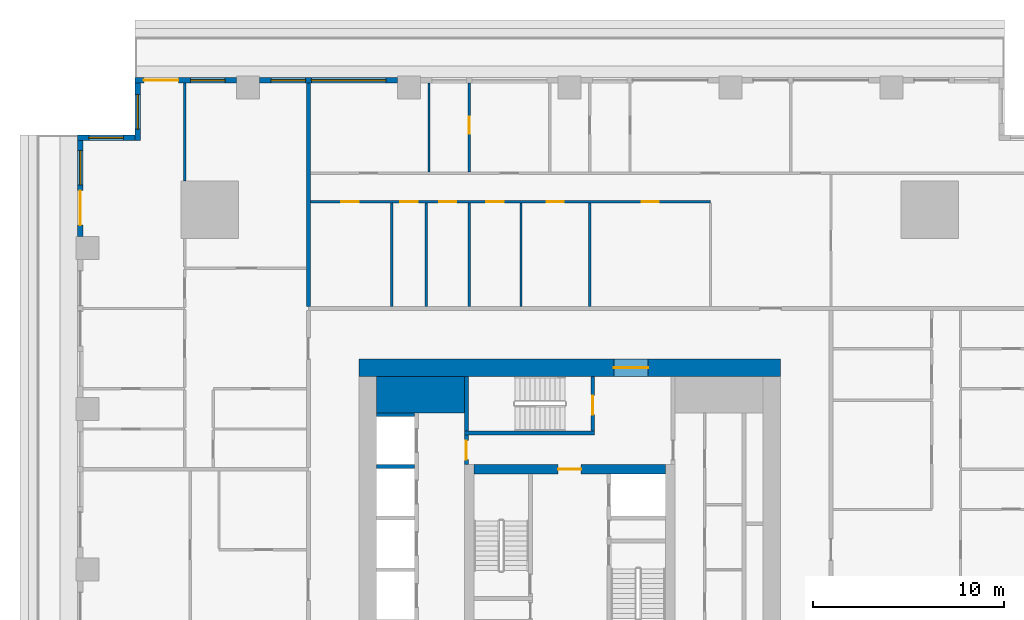
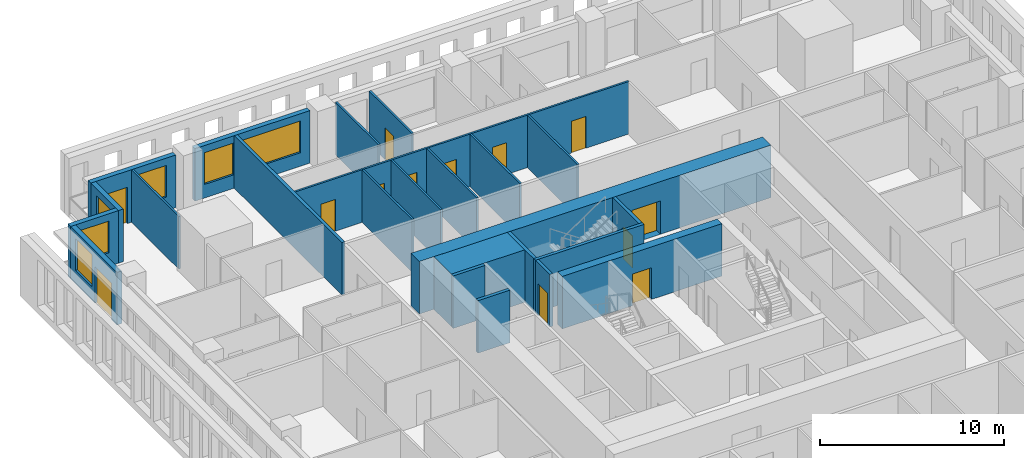
# One storey, part 7 of 14: 24 walls, 13 doors, 6 windows, 19 openings.
"""IFC4 building model written with IfcOpenShell, lengths in metres."""

from ifc_helpers import new_model, si_unit, direction, frame, frame_2d, origin, place, context, subcontext, project, spatial, rectangle, extrude, material, layer, layer_set, type_object, element, fill, save


model = new_model("IFC4")

# Units and contexts
model_context = context("Model", 3, precision=1e-05, world=origin(), true_north=direction((0.0, 1.0)))
body_context = subcontext(model_context, "Body", "Model", "MODEL_VIEW")
ifc_project = project(units=[si_unit("LENGTHUNIT", "METRE"), si_unit("AREAUNIT", "SQUARE_METRE"), si_unit("VOLUMEUNIT", "CUBIC_METRE"), si_unit("PLANEANGLEUNIT", "RADIAN"), si_unit("MASSUNIT", "GRAM", prefix="KILO")], contexts=[model_context])

# Site, building, storey
site_placement = place(None, origin())
site = spatial("IfcSite", under=ifc_project, at=site_placement, CompositionType="ELEMENT")
building_placement = place(site_placement, origin())
building = spatial("IfcBuilding", under=site, at=building_placement, Name="Khepri Terraces", CompositionType="ELEMENT")
storey_placement = place(building_placement, frame((0.0, 0.0, 66.0)))
storey = spatial("IfcBuildingStorey", under=building, at=storey_placement, Name="L15", CompositionType="ELEMENT", Elevation=66.0)

# Walls
ifc_material_1 = material(Name="Concrete C80/95", Category="concrete")
ifc_layer_1 = layer(ifc_material_1, 1.89990234375, Name="Concrete C80/95", Category="concrete")
ifc_layer_set_1 = layer_set([ifc_layer_1], Name="Concrete C80/95")
wall_type_1 = type_object("IfcWallType", Name="Core wall 1900 C80/95", PredefinedType="SHEAR", material=ifc_layer_set_1)
wall_1_placement = place(storey_placement, frame((-10.10009765625, 9.14990234375, 0.0), z_axis=(0.0, 0.0, 1.0), x_axis=(1.0, 0.0, 0.0)))
element("IfcWall", 1, at=wall_1_placement, inside=storey, type_object=wall_type_1, Name="Core wall PR03 L15", PredefinedType="SHEAR", context=body_context, shape_type="SweptSolid", body=[
    extrude(rectangle(XDim=4.60009765625, YDim=1.89990234375, at=frame_2d((2.300048828125, 0.0))), origin(), (0.0, 0.0, 1.0), 3.47998046875),
])
ifc_layer_2 = layer(ifc_material_1, 0.199951171875, Name="Concrete C80/95", Category="concrete")
ifc_layer_set_2 = layer_set([ifc_layer_2], Name="Concrete C80/95")
wall_type_2 = type_object("IfcWallType", Name="Core wall 200 C80/95", PredefinedType="SHEAR", material=ifc_layer_set_2)
wall_2_placement = place(storey_placement, frame((-5.5, 7.14990234375, 0.0), z_axis=(0.0, 0.0, 1.0), x_axis=(1.0, 0.0, 0.0)))
element("IfcWall", 2, at=wall_2_placement, inside=storey, type_object=wall_type_2, Name="Core wall ST05 L15", PredefinedType="SHEAR", context=body_context, shape_type="SweptSolid", body=[
    extrude(rectangle(XDim=6.800048828125, YDim=0.199951171875, at=frame_2d((3.39990234375, 0.0))), origin(), (0.0, 0.0, 1.0), 3.47998046875),
])
wall_3_placement = place(storey_placement, frame((-5.39990234375, 7.25, 0.0), z_axis=(0.0, 0.0, 1.0), x_axis=(0.0, 1.0, 0.0)))
element("IfcWall", 3, at=wall_3_placement, inside=storey, type_object=wall_type_2, Name="Core wall ST06 L15", PredefinedType="SHEAR", context=body_context, shape_type="SweptSolid", body=[
    extrude(rectangle(XDim=2.85009765625, YDim=0.199951171875, at=frame_2d((1.425048828125, 0.0))), origin(), (0.0, 0.0, 1.0), 3.47998046875),
])

# Wall, opening, door
wall_4_placement = place(storey_placement, frame((1.199951171875, 7.25, 0.0), z_axis=(0.0, 0.0, 1.0), x_axis=(0.0, 1.0, 0.0)))
wall_4 = element("IfcWall", 4, at=wall_4_placement, inside=storey, type_object=wall_type_2, Name="Core wall ST07 L15", PredefinedType="SHEAR", context=body_context, shape_type="SweptSolid", body=[
    extrude(rectangle(XDim=2.85009765625, YDim=0.199951171875, at=frame_2d((1.425048828125, 0.0))), origin(), (0.0, 0.0, 1.0), 3.47998046875),
])
opening_1_placement = place(wall_4_placement, frame((0.85009765625, 0.0, 0.0)))
opening_1 = element("IfcOpeningElement", 5, at=opening_1_placement, cuts=wall_4, Name="Opening L15-C15", PredefinedType="OPENING", context=body_context, shape_type="SweptSolid", body=[
    extrude(rectangle(XDim=1.0, YDim=2.10009765625, at=frame_2d((0.5, 1.050048828125))), frame((0.0, 0.10986328125, 0.0), z_axis=(0.0, -1.0, 0.0), x_axis=(1.0, 0.0, 0.0)), (0.0, 0.0, 1.0), 0.219970703125),
])
ifc_material_2 = material(Name="Painted steel", Category="steel")
door_type_1 = type_object("IfcDoorType", Name="DR-CORE-STAIR-1000", OperationType="NOTDEFINED", PredefinedType="DOOR", material=ifc_material_2)
door_1_placement = place(opening_1_placement, origin())
door_1 = element("IfcDoor", 6, at=door_1_placement, inside=storey, type_object=door_type_1, Name="Stair door L15-C15", OperationType="SINGLE_SWING_LEFT", OverallHeight=2.10009765625, OverallWidth=1.0, PredefinedType="DOOR", context=body_context, shape_type="SweptSolid", body=[
    extrude(rectangle(XDim=1.0, YDim=2.10009765625, at=frame_2d((0.5, 1.050048828125))), frame((0.0, 0.02490234375, 0.0), z_axis=(0.0, -1.0, 0.0), x_axis=(1.0, 0.0, 0.0)), (0.0, 0.0, 1.0), 0.050048828125),
])
fill(opening_1, door_1)

# Walls
for number, where, z_axis, x_axis, name in (
    (7, (-10.10009765625, 5.39990234375, 0.0), (0.0, 0.0, 1.0), (1.0, 0.0, 0.0), "Core wall SH19 L15"),
    (8, (-10.10009765625, 8.10009765625, 0.0), (0.0, 0.0, 1.0), (1.0, 0.0, 0.0), "Core wall SH20 L15"),
):
    element("IfcWall", number, at=place(storey_placement, frame(where, z_axis=z_axis, x_axis=x_axis)), inside=storey, type_object=wall_type_2, Name=name, PredefinedType="SHEAR", context=body_context, shape_type="SweptSolid", body=[
        extrude(rectangle(XDim=2.0, YDim=0.199951171875, at=frame_2d((1.0, 0.0))), origin(), (0.0, 0.0, 1.0), 3.47998046875),
    ])

# Wall, opening, door
ifc_layer_3 = layer(ifc_material_1, 0.5, Name="Concrete C80/95", Category="concrete")
ifc_layer_set_3 = layer_set([ifc_layer_3], Name="Concrete C80/95")
wall_type_3 = type_object("IfcWallType", Name="Core wall 500 C80/95", PredefinedType="SHEAR", material=ifc_layer_set_3)
wall_5_placement = place(storey_placement, frame((-5.0, 5.25, 0.0), z_axis=(0.0, 0.0, 1.0), x_axis=(1.0, 0.0, 0.0)))
wall_5 = element("IfcWall", 9, at=wall_5_placement, inside=storey, type_object=wall_type_3, Name="Core wall BX04 L15", PredefinedType="SHEAR", context=body_context, shape_type="SweptSolid", body=[
    extrude(rectangle(XDim=10.0, YDim=0.5, at=frame_2d((5.0, 0.0))), origin(), (0.0, 0.0, 1.0), 3.47998046875),
])
opening_2_placement = place(wall_5_placement, frame((4.39990234375, 0.0, 0.0)))
opening_2 = element("IfcOpeningElement", 10, at=opening_2_placement, cuts=wall_5, Name="Opening L15-C13", PredefinedType="OPENING", context=body_context, shape_type="SweptSolid", body=[
    extrude(rectangle(XDim=1.199951171875, YDim=2.10009765625, at=frame_2d((0.60009765625, 1.050048828125))), frame((0.0, 0.260009765625, 0.0), z_axis=(0.0, -1.0, 0.0), x_axis=(1.0, 0.0, 0.0)), (0.0, 0.0, 1.0), 0.52001953125),
])
door_type_2 = type_object("IfcDoorType", Name="DR-CORE-FF-LOBBY-1200", OperationType="NOTDEFINED", PredefinedType="DOOR", material=ifc_material_2)
door_2_placement = place(opening_2_placement, frame((1.199951171875, 0.0, 0.0), z_axis=(0.0, 0.0, 1.0), x_axis=(-1.0, 0.0, 0.0)))
door_2 = element("IfcDoor", 11, at=door_2_placement, inside=storey, type_object=door_type_2, Name="Firefighting lobby door L15-C13", OperationType="SINGLE_SWING_LEFT", OverallHeight=2.10009765625, OverallWidth=1.199951171875, PredefinedType="DOOR", context=body_context, shape_type="SweptSolid", body=[
    extrude(rectangle(XDim=1.199951171875, YDim=2.10009765625, at=frame_2d((0.60009765625, 1.050048828125))), frame((0.0, 0.02490234375, 0.0), z_axis=(0.0, -1.0, 0.0), x_axis=(1.0, 0.0, 0.0)), (0.0, 0.0, 1.0), 0.050048828125),
])
fill(opening_2, door_2)

ifc_layer_4 = layer(ifc_material_1, 0.89990234375, Name="Concrete C80/95", Category="concrete")
ifc_layer_set_4 = layer_set([ifc_layer_4], Name="Concrete C80/95")
wall_type_4 = type_object("IfcWallType", Name="Core wall 900 C80/95", PredefinedType="SHEAR", material=ifc_layer_set_4)
wall_6_placement = place(storey_placement, frame((-11.0, 10.550048828125, 0.0), z_axis=(0.0, 0.0, 1.0), x_axis=(1.0, 0.0, 0.0)))
wall_6 = element("IfcWall", 12, at=wall_6_placement, inside=storey, type_object=wall_type_4, Name="Core wall OW-N L15", PredefinedType="SHEAR", context=body_context, shape_type="SweptSolid", body=[
    extrude(rectangle(XDim=22.0, YDim=0.89990234375, at=frame_2d((11.0, 0.0))), origin(), (0.0, 0.0, 1.0), 3.47998046875),
])
opening_3_placement = place(wall_6_placement, frame((13.300048828125, 0.0, 0.0)))
opening_3 = element("IfcOpeningElement", 13, at=opening_3_placement, cuts=wall_6, Name="Opening L15-C20", PredefinedType="OPENING", context=body_context, shape_type="SweptSolid", body=[
    extrude(rectangle(XDim=1.800048828125, YDim=2.199951171875, at=frame_2d((0.89990234375, 1.10009765625))), frame((0.0, 0.4599609375, 0.0), z_axis=(0.0, -1.0, 0.0), x_axis=(1.0, 0.0, 0.0)), (0.0, 0.0, 1.0), 0.919921875),
])
door_type_3 = type_object("IfcDoorType", Name="DR-CORE-ENTRANCE-1800", OperationType="NOTDEFINED", PredefinedType="DOOR", material=ifc_material_2)
door_3_placement = place(opening_3_placement, origin())
door_3 = element("IfcDoor", 14, at=door_3_placement, inside=storey, type_object=door_type_3, Name="Core entrance door pair L15-C20", OperationType="DOUBLE_DOOR_SINGLE_SWING", OverallHeight=2.199951171875, OverallWidth=1.800048828125, PredefinedType="DOOR", context=body_context, shape_type="SweptSolid", body=[
    extrude(rectangle(XDim=1.800048828125, YDim=2.199951171875, at=frame_2d((0.89990234375, 1.10009765625))), frame((0.0, 0.02490234375, 0.0), z_axis=(0.0, -1.0, 0.0), x_axis=(1.0, 0.0, 0.0)), (0.0, 0.0, 1.0), 0.050048828125),
])
fill(opening_3, door_3)

ifc_material_3 = material(Name="Fire-rated gypsum board partition")
ifc_layer_5 = layer(ifc_material_3, 0.199951171875, Name="Fire-rated gypsum board partition")
ifc_layer_set_5 = layer_set([ifc_layer_5], Name="Fire-rated gypsum board partition")
wall_type_5 = type_object("IfcWallType", Name="WL-CORE-PART-200", PredefinedType="PARTITIONING", material=ifc_layer_set_5)
wall_7_placement = place(storey_placement, frame((-5.39990234375, 5.5, 0.0), z_axis=(0.0, 0.0, 1.0), x_axis=(0.0, 1.0, 0.0)))
wall_7 = element("IfcWall", 15, at=wall_7_placement, inside=storey, type_object=wall_type_5, Name="Core partition PT07 L15", PredefinedType="PARTITIONING", context=body_context, shape_type="SweptSolid", body=[
    extrude(rectangle(XDim=1.550048828125, YDim=0.199951171875, at=frame_2d((0.77490234375, 0.0))), origin(), (0.0, 0.0, 1.0), 3.47998046875),
])
opening_4_placement = place(wall_7_placement, frame((0.25, 0.0, 0.0)))
opening_4 = element("IfcOpeningElement", 16, at=opening_4_placement, cuts=wall_7, Name="Opening L15-C16", PredefinedType="OPENING", context=body_context, shape_type="SweptSolid", body=[
    extrude(rectangle(XDim=1.0, YDim=2.10009765625, at=frame_2d((0.5, 1.050048828125))), frame((0.0, 0.10986328125, 0.0), z_axis=(0.0, -1.0, 0.0), x_axis=(1.0, 0.0, 0.0)), (0.0, 0.0, 1.0), 0.219970703125),
])
door_type_4 = type_object("IfcDoorType", Name="DR-CORE-LOBBY-1000", OperationType="NOTDEFINED", PredefinedType="DOOR", material=ifc_material_2)
door_4_placement = place(opening_4_placement, frame((1.0, 0.0, 0.0), z_axis=(0.0, 0.0, 1.0), x_axis=(-1.0, 0.0, 0.0)))
door_4 = element("IfcDoor", 17, at=door_4_placement, inside=storey, type_object=door_type_4, Name="Lobby door L15-C16", OperationType="SINGLE_SWING_RIGHT", OverallHeight=2.10009765625, OverallWidth=1.0, PredefinedType="DOOR", context=body_context, shape_type="SweptSolid", body=[
    extrude(rectangle(XDim=1.0, YDim=2.10009765625, at=frame_2d((0.5, 1.050048828125))), frame((0.0, 0.02490234375, 0.0), z_axis=(0.0, -1.0, 0.0), x_axis=(1.0, 0.0, 0.0)), (0.0, 0.0, 1.0), 0.050048828125),
])
fill(opening_4, door_4)

# Wall
ifc_material_4 = material(Name="Fire-rated gypsum plasterboard partition, mineral wool")
ifc_layer_6 = layer(ifc_material_4, 0.199951171875, Name="Fire-rated gypsum plasterboard partition, mineral wool")
ifc_layer_set_6 = layer_set([ifc_layer_6], Name="Fire-rated gypsum plasterboard partition, mineral wool")
wall_type_6 = type_object("IfcWallType", Name="WL-CORR-200", PredefinedType="PARTITIONING", material=ifc_layer_set_6)
wall_8_placement = place(storey_placement, frame((-13.64990234375, 13.75, 0.0), z_axis=(0.0, 0.0, 1.0), x_axis=(0.0, 1.0, 0.0)))
element("IfcWall", 18, at=wall_8_placement, inside=storey, type_object=wall_type_6, Name="Partition P-081 L15", PredefinedType="PARTITIONING", context=body_context, shape_type="SweptSolid", body=[
    extrude(rectangle(XDim=11.669921875, YDim=0.199951171875, at=frame_2d((5.8349609375, 0.0))), origin(), (0.0, 0.0, 1.0), 3.47998046875),
])

# Wall, openings, windows
ifc_material_5 = material(Name="Precast concrete C50/60 warm stone", Category="masonry")
ifc_layer_7 = layer(ifc_material_5, 0.300048828125, Name="Precast concrete C50/60 warm stone", Category="masonry")
ifc_layer_set_7 = layer_set([ifc_layer_7], Name="Precast concrete C50/60 warm stone")
wall_type_7 = type_object("IfcWallType", Name="WL-EXT-PRECAST-300", PredefinedType="STANDARD", material=ifc_layer_set_7)
wall_9_placement = place(storey_placement, frame((-9.0, 25.570068359375, 0.0), z_axis=(0.0, 0.0, 1.0), x_axis=(-1.0, 0.0, 0.0)))
wall_9 = element("IfcWall", 19, at=wall_9_placement, inside=storey, type_object=wall_type_7, Name="External wall L15 N", PredefinedType="STANDARD", context=body_context, shape_type="SweptSolid", body=[
    extrude(rectangle(XDim=7.199951171875, YDim=0.300048828125, at=frame_2d((3.60009765625, 0.0))), origin(), (0.0, 0.0, 1.0), 3.47998046875),
])
opening_5_placement = place(wall_9_placement, frame((0.60009765625, 0.0, 0.89990234375)))
opening_5 = element("IfcOpeningElement", 20, at=opening_5_placement, cuts=wall_9, Name="Opening W2", PredefinedType="OPENING", context=body_context, shape_type="SweptSolid", body=[
    extrude(rectangle(XDim=3.89990234375, YDim=2.10009765625, at=frame_2d((1.949951171875, 1.050048828125))), frame((0.0, 0.16015625, 0.0), z_axis=(0.0, -1.0, 0.0), x_axis=(1.0, 0.0, 0.0)), (0.0, 0.0, 1.0), 0.320068359375),
])
opening_6_placement = place(wall_9_placement, frame((4.800048828125, 0.0, 0.89990234375)))
opening_6 = element("IfcOpeningElement", 21, at=opening_6_placement, cuts=wall_9, Name="Opening W1", PredefinedType="OPENING", context=body_context, shape_type="SweptSolid", body=[
    extrude(rectangle(XDim=1.800048828125, YDim=2.10009765625, at=frame_2d((0.89990234375, 1.050048828125))), frame((0.0, 0.16015625, 0.0), z_axis=(0.0, -1.0, 0.0), x_axis=(1.0, 0.0, 0.0)), (0.0, 0.0, 1.0), 0.320068359375),
])
ifc_material_6 = material(Name="Clear glass", Category="glass")
window_type_1 = type_object("IfcWindowType", Name="WIN-RES-1800x2100", PartitioningType="SINGLE_PANEL", PredefinedType="WINDOW", material=ifc_material_6)
window_1_placement = place(opening_6_placement, origin())
window_1 = element("IfcWindow", 22, at=window_1_placement, inside=storey, type_object=window_type_1, Name="Window L15 N", OverallHeight=2.10009765625, OverallWidth=1.800048828125, PartitioningType="SINGLE_PANEL", PredefinedType="WINDOW", context=body_context, shape_type="SweptSolid", body=[
    extrude(rectangle(XDim=1.800048828125, YDim=2.10009765625, at=frame_2d((0.89990234375, 1.050048828125))), frame((0.0, 0.030029296875, 0.0), z_axis=(0.0, -1.0, 0.0), x_axis=(1.0, 0.0, 0.0)), (0.0, 0.0, 1.0), 0.06005859375),
])
fill(opening_6, window_1)
window_type_2 = type_object("IfcWindowType", Name="WIN-RES-3900x2100", PartitioningType="SINGLE_PANEL", PredefinedType="WINDOW", material=ifc_material_6)
window_2_placement = place(opening_5_placement, origin())
window_2 = element("IfcWindow", 23, at=window_2_placement, inside=storey, type_object=window_type_2, Name="Window L15 N", OverallHeight=2.10009765625, OverallWidth=3.89990234375, PartitioningType="SINGLE_PANEL", PredefinedType="WINDOW", context=body_context, shape_type="SweptSolid", body=[
    extrude(rectangle(XDim=3.89990234375, YDim=2.10009765625, at=frame_2d((1.949951171875, 1.050048828125))), frame((0.0, 0.030029296875, 0.0), z_axis=(0.0, -1.0, 0.0), x_axis=(1.0, 0.0, 0.0)), (0.0, 0.0, 1.0), 0.06005859375),
])
fill(opening_5, window_2)

# Wall, openings, door, window
wall_10_placement = place(storey_placement, frame((-17.39990234375, 25.570068359375, 0.0), z_axis=(0.0, 0.0, 1.0), x_axis=(-1.0, 0.0, 0.0)))
wall_10 = element("IfcWall", 24, at=wall_10_placement, inside=storey, type_object=wall_type_7, Name="External wall L15 N", PredefinedType="STANDARD", context=body_context, shape_type="SweptSolid", body=[
    extrude(rectangle(XDim=5.320068359375, YDim=0.300048828125, at=frame_2d((2.66015625, 0.0))), origin(), (0.0, 0.0, 1.0), 3.47998046875),
])
opening_7_placement = place(wall_10_placement, frame((0.60009765625, 0.0, 0.89990234375)))
opening_7 = element("IfcOpeningElement", 25, at=opening_7_placement, cuts=wall_10, Name="Opening W1", PredefinedType="OPENING", context=body_context, shape_type="SweptSolid", body=[
    extrude(rectangle(XDim=1.800048828125, YDim=2.10009765625, at=frame_2d((0.89990234375, 1.050048828125))), frame((0.0, 0.16015625, 0.0), z_axis=(0.0, -1.0, 0.0), x_axis=(1.0, 0.0, 0.0)), (0.0, 0.0, 1.0), 0.320068359375),
])
opening_8_placement = place(wall_10_placement, frame((3.044921875, 0.0, 0.0)))
opening_8 = element("IfcOpeningElement", 26, at=opening_8_placement, cuts=wall_10, Name="Opening ED-L15-11", PredefinedType="OPENING", context=body_context, shape_type="SweptSolid", body=[
    extrude(rectangle(XDim=1.800048828125, YDim=2.39990234375, at=frame_2d((0.89990234375, 1.199951171875))), frame((0.0, 0.16015625, 0.0), z_axis=(0.0, -1.0, 0.0), x_axis=(1.0, 0.0, 0.0)), (0.0, 0.0, 1.0), 0.320068359375),
])
ifc_material_7 = material(Name="Anodised aluminium bronze glazed door", Category="aluminium")
door_type_5 = type_object("IfcDoorType", Name="DR-BAL-SLIDE-1800x2400", OperationType="NOTDEFINED", PredefinedType="DOOR", material=ifc_material_7)
door_5_placement = place(opening_8_placement, origin())
door_5 = element("IfcDoor", 27, at=door_5_placement, inside=storey, type_object=door_type_5, Name="Balcony door L15 N", OperationType="SLIDING_TO_RIGHT", OverallHeight=2.39990234375, OverallWidth=1.800048828125, PredefinedType="DOOR", context=body_context, shape_type="SweptSolid", body=[
    extrude(rectangle(XDim=1.800048828125, YDim=2.39990234375, at=frame_2d((0.89990234375, 1.199951171875))), frame((0.0, 0.02490234375, 0.0), z_axis=(0.0, -1.0, 0.0), x_axis=(1.0, 0.0, 0.0)), (0.0, 0.0, 1.0), 0.050048828125),
])
fill(opening_8, door_5)
window_3_placement = place(opening_7_placement, origin())
window_3 = element("IfcWindow", 28, at=window_3_placement, inside=storey, type_object=window_type_1, Name="Window L15 N", OverallHeight=2.10009765625, OverallWidth=1.800048828125, PartitioningType="SINGLE_PANEL", PredefinedType="WINDOW", context=body_context, shape_type="SweptSolid", body=[
    extrude(rectangle(XDim=1.800048828125, YDim=2.10009765625, at=frame_2d((0.89990234375, 1.050048828125))), frame((0.0, 0.030029296875, 0.0), z_axis=(0.0, -1.0, 0.0), x_axis=(1.0, 0.0, 0.0)), (0.0, 0.0, 1.0), 0.06005859375),
])
fill(opening_7, window_3)

# Wall, opening, window
wall_11_placement = place(storey_placement, frame((-22.570068359375, 25.419921875, 0.0), z_axis=(0.0, 0.0, 1.0), x_axis=(0.0, -1.0, 0.0)))
wall_11 = element("IfcWall", 29, at=wall_11_placement, inside=storey, type_object=wall_type_7, Name="External wall L15 W", PredefinedType="STANDARD", context=body_context, shape_type="SweptSolid", body=[
    extrude(rectangle(XDim=3.0, YDim=0.300048828125, at=frame_2d((1.5, 0.0))), origin(), (0.0, 0.0, 1.0), 3.47998046875),
])
opening_9_placement = place(wall_11_placement, frame((0.60009765625, 0.0, 0.89990234375)))
opening_9 = element("IfcOpeningElement", 30, at=opening_9_placement, cuts=wall_11, Name="Opening W1", PredefinedType="OPENING", context=body_context, shape_type="SweptSolid", body=[
    extrude(rectangle(XDim=1.800048828125, YDim=2.10009765625, at=frame_2d((0.89990234375, 1.050048828125))), frame((0.0, 0.16015625, 0.0), z_axis=(0.0, -1.0, 0.0), x_axis=(1.0, 0.0, 0.0)), (0.0, 0.0, 1.0), 0.320068359375),
])
window_4_placement = place(opening_9_placement, origin())
window_4 = element("IfcWindow", 31, at=window_4_placement, inside=storey, type_object=window_type_1, Name="Window L15 W", OverallHeight=2.10009765625, OverallWidth=1.800048828125, PartitioningType="SINGLE_PANEL", PredefinedType="WINDOW", context=body_context, shape_type="SweptSolid", body=[
    extrude(rectangle(XDim=1.800048828125, YDim=2.10009765625, at=frame_2d((0.89990234375, 1.050048828125))), frame((0.0, 0.030029296875, 0.0), z_axis=(0.0, -1.0, 0.0), x_axis=(1.0, 0.0, 0.0)), (0.0, 0.0, 1.0), 0.06005859375),
])
fill(opening_9, window_4)

wall_12_placement = place(storey_placement, frame((-22.719970703125, 22.570068359375, 0.0), z_axis=(0.0, 0.0, 1.0), x_axis=(-1.0, 0.0, 0.0)))
wall_12 = element("IfcWall", 32, at=wall_12_placement, inside=storey, type_object=wall_type_7, Name="External wall L15 N", PredefinedType="STANDARD", context=body_context, shape_type="SweptSolid", body=[
    extrude(rectangle(XDim=3.0, YDim=0.300048828125, at=frame_2d((1.5, 0.0))), origin(), (0.0, 0.0, 1.0), 3.47998046875),
])
opening_10_placement = place(wall_12_placement, frame((0.60009765625, 0.0, 0.89990234375)))
opening_10 = element("IfcOpeningElement", 33, at=opening_10_placement, cuts=wall_12, Name="Opening W1", PredefinedType="OPENING", context=body_context, shape_type="SweptSolid", body=[
    extrude(rectangle(XDim=1.800048828125, YDim=2.10009765625, at=frame_2d((0.89990234375, 1.050048828125))), frame((0.0, 0.16015625, 0.0), z_axis=(0.0, -1.0, 0.0), x_axis=(1.0, 0.0, 0.0)), (0.0, 0.0, 1.0), 0.320068359375),
])
window_5_placement = place(opening_10_placement, origin())
window_5 = element("IfcWindow", 34, at=window_5_placement, inside=storey, type_object=window_type_1, Name="Window L15 N", OverallHeight=2.10009765625, OverallWidth=1.800048828125, PartitioningType="SINGLE_PANEL", PredefinedType="WINDOW", context=body_context, shape_type="SweptSolid", body=[
    extrude(rectangle(XDim=1.800048828125, YDim=2.10009765625, at=frame_2d((0.89990234375, 1.050048828125))), frame((0.0, 0.030029296875, 0.0), z_axis=(0.0, -1.0, 0.0), x_axis=(1.0, 0.0, 0.0)), (0.0, 0.0, 1.0), 0.06005859375),
])
fill(opening_10, window_5)

# Wall, openings, door, window
wall_13_placement = place(storey_placement, frame((-25.570068359375, 22.419921875, 0.0), z_axis=(0.0, 0.0, 1.0), x_axis=(0.0, -1.0, 0.0)))
wall_13 = element("IfcWall", 35, at=wall_13_placement, inside=storey, type_object=wall_type_7, Name="External wall L15 W", PredefinedType="STANDARD", context=body_context, shape_type="SweptSolid", body=[
    extrude(rectangle(XDim=5.02001953125, YDim=0.300048828125, at=frame_2d((2.510009765625, 0.0))), origin(), (0.0, 0.0, 1.0), 3.47998046875),
])
opening_11_placement = place(wall_13_placement, frame((0.52001953125, 0.0, 0.89990234375)))
opening_11 = element("IfcOpeningElement", 36, at=opening_11_placement, cuts=wall_13, Name="Opening W1", PredefinedType="OPENING", context=body_context, shape_type="SweptSolid", body=[
    extrude(rectangle(XDim=1.800048828125, YDim=2.10009765625, at=frame_2d((0.89990234375, 1.050048828125))), frame((0.0, 0.16015625, 0.0), z_axis=(0.0, -1.0, 0.0), x_axis=(1.0, 0.0, 0.0)), (0.0, 0.0, 1.0), 0.320068359375),
])
opening_12_placement = place(wall_13_placement, frame((2.6201171875, 0.0, 0.0)))
opening_12 = element("IfcOpeningElement", 37, at=opening_12_placement, cuts=wall_13, Name="Opening ED-L15-12", PredefinedType="OPENING", context=body_context, shape_type="SweptSolid", body=[
    extrude(rectangle(XDim=1.800048828125, YDim=2.39990234375, at=frame_2d((0.89990234375, 1.199951171875))), frame((0.0, 0.16015625, 0.0), z_axis=(0.0, -1.0, 0.0), x_axis=(1.0, 0.0, 0.0)), (0.0, 0.0, 1.0), 0.320068359375),
])
door_6_placement = place(opening_12_placement, origin())
door_6 = element("IfcDoor", 38, at=door_6_placement, inside=storey, type_object=door_type_5, Name="Balcony door L15 W", OperationType="SLIDING_TO_RIGHT", OverallHeight=2.39990234375, OverallWidth=1.800048828125, PredefinedType="DOOR", context=body_context, shape_type="SweptSolid", body=[
    extrude(rectangle(XDim=1.800048828125, YDim=2.39990234375, at=frame_2d((0.89990234375, 1.199951171875))), frame((0.0, 0.02490234375, 0.0), z_axis=(0.0, -1.0, 0.0), x_axis=(1.0, 0.0, 0.0)), (0.0, 0.0, 1.0), 0.050048828125),
])
fill(opening_12, door_6)
window_6_placement = place(opening_11_placement, origin())
window_6 = element("IfcWindow", 39, at=window_6_placement, inside=storey, type_object=window_type_1, Name="Window L15 W", OverallHeight=2.10009765625, OverallWidth=1.800048828125, PartitioningType="SINGLE_PANEL", PredefinedType="WINDOW", context=body_context, shape_type="SweptSolid", body=[
    extrude(rectangle(XDim=1.800048828125, YDim=2.10009765625, at=frame_2d((0.89990234375, 1.050048828125))), frame((0.0, 0.030029296875, 0.0), z_axis=(0.0, -1.0, 0.0), x_axis=(1.0, 0.0, 0.0)), (0.0, 0.0, 1.0), 0.06005859375),
])
fill(opening_11, window_6)

# Walls
ifc_material_8 = material(Name="Gypsum plasterboard partition")
ifc_layer_8 = layer(ifc_material_8, 0.1201171875, Name="Gypsum plasterboard partition")
ifc_layer_set_8 = layer_set([ifc_layer_8], Name="Gypsum plasterboard partition")
wall_type_8 = type_object("IfcWallType", Name="WL-PART-120", PredefinedType="PARTITIONING", material=ifc_layer_set_8)
for number, where, z_axis, x_axis, name in (
    (40, (-9.300048828125, 13.75, 0.0), (0.0, 0.0, 1.0), (0.0, 1.0, 0.0), "Partition P-082 L15"),
    (41, (-7.5, 13.75, 0.0), (0.0, 0.0, 1.0), (0.0, 1.0, 0.0), "Partition P-083 L15"),
    (42, (-5.25, 13.75, 0.0), (0.0, 0.0, 1.0), (0.0, 1.0, 0.0), "Partition P-084 L15"),
    (43, (-2.550048828125, 13.75, 0.0), (0.0, 0.0, 1.0), (0.0, 1.0, 0.0), "Partition P-085 L15"),
    (44, (1.050048828125, 13.75, 0.0), (0.0, 0.0, 1.0), (0.0, 1.0, 0.0), "Partition P-086 L15"),
):
    element("IfcWall", number, at=place(storey_placement, frame(where, z_axis=z_axis, x_axis=x_axis)), inside=storey, type_object=wall_type_8, Name=name, PredefinedType="PARTITIONING", context=body_context, shape_type="SweptSolid", body=[
        extrude(rectangle(XDim=5.409912109375, YDim=0.1201171875, at=frame_2d((2.705078125, 0.0))), origin(), (0.0, 0.0, 1.0), 3.47998046875),
    ])

# Wall, openings, doors
wall_14_placement = place(storey_placement, frame((-13.550048828125, 19.219970703125, 0.0), z_axis=(0.0, 0.0, 1.0), x_axis=(1.0, 0.0, 0.0)))
wall_14 = element("IfcWall", 45, at=wall_14_placement, inside=storey, type_object=wall_type_8, Name="Partition P-091 L15", PredefinedType="PARTITIONING", context=body_context, shape_type="SweptSolid", body=[
    extrude(rectangle(XDim=20.900146484375, YDim=0.1201171875, at=frame_2d((10.4501953125, 0.0))), origin(), (0.0, 0.0, 1.0), 3.47998046875),
])
opening_13_placement = place(wall_14_placement, frame((17.300048828125, 0.0, 0.0)))
opening_13 = element("IfcOpeningElement", 46, at=opening_13_placement, cuts=wall_14, Name="Opening D3", PredefinedType="OPENING", context=body_context, shape_type="SweptSolid", body=[
    extrude(rectangle(XDim=0.89990234375, YDim=2.10009765625, at=frame_2d((0.449951171875, 1.050048828125))), frame((0.0, 0.070068359375, 0.0), z_axis=(0.0, -1.0, 0.0), x_axis=(1.0, 0.0, 0.0)), (0.0, 0.0, 1.0), 0.14013671875),
])
opening_14_placement = place(wall_14_placement, frame((12.35009765625, 0.0, 0.0)))
opening_14 = element("IfcOpeningElement", 47, at=opening_14_placement, cuts=wall_14, Name="Opening D3", PredefinedType="OPENING", context=body_context, shape_type="SweptSolid", body=[
    extrude(rectangle(XDim=0.89990234375, YDim=2.10009765625, at=frame_2d((0.449951171875, 1.050048828125))), frame((0.0, 0.070068359375, 0.0), z_axis=(0.0, -1.0, 0.0), x_axis=(1.0, 0.0, 0.0)), (0.0, 0.0, 1.0), 0.14013671875),
])
opening_15_placement = place(wall_14_placement, frame((9.199951171875, 0.0, 0.0)))
opening_15 = element("IfcOpeningElement", 48, at=opening_15_placement, cuts=wall_14, Name="Opening D3", PredefinedType="OPENING", context=body_context, shape_type="SweptSolid", body=[
    extrude(rectangle(XDim=0.89990234375, YDim=2.10009765625, at=frame_2d((0.449951171875, 1.050048828125))), frame((0.0, 0.070068359375, 0.0), z_axis=(0.0, -1.0, 0.0), x_axis=(1.0, 0.0, 0.0)), (0.0, 0.0, 1.0), 0.14013671875),
])
opening_16_placement = place(wall_14_placement, frame((6.72509765625, 0.0, 0.0)))
opening_16 = element("IfcOpeningElement", 49, at=opening_16_placement, cuts=wall_14, Name="Opening D4", PredefinedType="OPENING", context=body_context, shape_type="SweptSolid", body=[
    extrude(rectangle(XDim=0.89990234375, YDim=2.10009765625, at=frame_2d((0.449951171875, 1.050048828125))), frame((0.0, 0.070068359375, 0.0), z_axis=(0.0, -1.0, 0.0), x_axis=(1.0, 0.0, 0.0)), (0.0, 0.0, 1.0), 0.14013671875),
])
opening_17_placement = place(wall_14_placement, frame((4.699951171875, 0.0, 0.0)))
opening_17 = element("IfcOpeningElement", 50, at=opening_17_placement, cuts=wall_14, Name="Opening D4", PredefinedType="OPENING", context=body_context, shape_type="SweptSolid", body=[
    extrude(rectangle(XDim=0.89990234375, YDim=2.10009765625, at=frame_2d((0.449951171875, 1.050048828125))), frame((0.0, 0.070068359375, 0.0), z_axis=(0.0, -1.0, 0.0), x_axis=(1.0, 0.0, 0.0)), (0.0, 0.0, 1.0), 0.14013671875),
])
opening_18_placement = place(wall_14_placement, frame((1.625, 0.0, 0.0)))
opening_18 = element("IfcOpeningElement", 51, at=opening_18_placement, cuts=wall_14, Name="Opening D3", PredefinedType="OPENING", context=body_context, shape_type="SweptSolid", body=[
    extrude(rectangle(XDim=0.89990234375, YDim=2.10009765625, at=frame_2d((0.449951171875, 1.050048828125))), frame((0.0, 0.070068359375, 0.0), z_axis=(0.0, -1.0, 0.0), x_axis=(1.0, 0.0, 0.0)), (0.0, 0.0, 1.0), 0.14013671875),
])
ifc_material_9 = material(Name="Timber door leaf", Category="wood")
door_type_6 = type_object("IfcDoorType", Name="DR-INT-900", OperationType="NOTDEFINED", PredefinedType="DOOR", material=ifc_material_9)
door_7_placement = place(opening_13_placement, frame((0.89990234375, 0.0, 0.0), z_axis=(0.0, 0.0, 1.0), x_axis=(-1.0, 0.0, 0.0)))
door_7 = element("IfcDoor", 52, at=door_7_placement, inside=storey, type_object=door_type_6, Name="Door Kitchen", OperationType="SINGLE_SWING_LEFT", OverallHeight=2.10009765625, OverallWidth=0.89990234375, PredefinedType="DOOR", context=body_context, shape_type="SweptSolid", body=[
    extrude(rectangle(XDim=0.89990234375, YDim=2.10009765625, at=frame_2d((0.449951171875, 1.050048828125))), frame((0.0, 0.02490234375, 0.0), z_axis=(0.0, -1.0, 0.0), x_axis=(1.0, 0.0, 0.0)), (0.0, 0.0, 1.0), 0.050048828125),
])
fill(opening_13, door_7)
door_8_placement = place(opening_14_placement, frame((0.89990234375, 0.0, 0.0), z_axis=(0.0, 0.0, 1.0), x_axis=(-1.0, 0.0, 0.0)))
door_8 = element("IfcDoor", 53, at=door_8_placement, inside=storey, type_object=door_type_6, Name="Door Service Store", OperationType="SINGLE_SWING_LEFT", OverallHeight=2.10009765625, OverallWidth=0.89990234375, PredefinedType="DOOR", context=body_context, shape_type="SweptSolid", body=[
    extrude(rectangle(XDim=0.89990234375, YDim=2.10009765625, at=frame_2d((0.449951171875, 1.050048828125))), frame((0.0, 0.02490234375, 0.0), z_axis=(0.0, -1.0, 0.0), x_axis=(1.0, 0.0, 0.0)), (0.0, 0.0, 1.0), 0.050048828125),
])
fill(opening_14, door_8)
door_9_placement = place(opening_15_placement, frame((0.89990234375, 0.0, 0.0), z_axis=(0.0, 0.0, 1.0), x_axis=(-1.0, 0.0, 0.0)))
door_9 = element("IfcDoor", 54, at=door_9_placement, inside=storey, type_object=door_type_6, Name="Door Utility Room", OperationType="SINGLE_SWING_RIGHT", OverallHeight=2.10009765625, OverallWidth=0.89990234375, PredefinedType="DOOR", context=body_context, shape_type="SweptSolid", body=[
    extrude(rectangle(XDim=0.89990234375, YDim=2.10009765625, at=frame_2d((0.449951171875, 1.050048828125))), frame((0.0, 0.02490234375, 0.0), z_axis=(0.0, -1.0, 0.0), x_axis=(1.0, 0.0, 0.0)), (0.0, 0.0, 1.0), 0.050048828125),
])
fill(opening_15, door_9)
door_10_placement = place(opening_18_placement, frame((0.89990234375, 0.0, 0.0), z_axis=(0.0, 0.0, 1.0), x_axis=(-1.0, 0.0, 0.0)))
door_10 = element("IfcDoor", 55, at=door_10_placement, inside=storey, type_object=door_type_6, Name="Door Staff Bedroom", OperationType="SINGLE_SWING_RIGHT", OverallHeight=2.10009765625, OverallWidth=0.89990234375, PredefinedType="DOOR", context=body_context, shape_type="SweptSolid", body=[
    extrude(rectangle(XDim=0.89990234375, YDim=2.10009765625, at=frame_2d((0.449951171875, 1.050048828125))), frame((0.0, 0.02490234375, 0.0), z_axis=(0.0, -1.0, 0.0), x_axis=(1.0, 0.0, 0.0)), (0.0, 0.0, 1.0), 0.050048828125),
])
fill(opening_18, door_10)
ifc_material_10 = material(Name="Timber door leaf, moisture resistant", Category="wood")
door_type_7 = type_object("IfcDoorType", Name="DR-WET-900", OperationType="NOTDEFINED", PredefinedType="DOOR", material=ifc_material_10)
door_11_placement = place(opening_16_placement, frame((0.89990234375, 0.0, 0.0), z_axis=(0.0, 0.0, 1.0), x_axis=(-1.0, 0.0, 0.0)))
door_11 = element("IfcDoor", 56, at=door_11_placement, inside=storey, type_object=door_type_7, Name="Door Powder Room", OperationType="SINGLE_SWING_RIGHT", OverallHeight=2.10009765625, OverallWidth=0.89990234375, PredefinedType="DOOR", context=body_context, shape_type="SweptSolid", body=[
    extrude(rectangle(XDim=0.89990234375, YDim=2.10009765625, at=frame_2d((0.449951171875, 1.050048828125))), frame((0.0, 0.02490234375, 0.0), z_axis=(0.0, -1.0, 0.0), x_axis=(1.0, 0.0, 0.0)), (0.0, 0.0, 1.0), 0.050048828125),
])
fill(opening_16, door_11)
door_12_placement = place(opening_17_placement, frame((0.89990234375, 0.0, 0.0), z_axis=(0.0, 0.0, 1.0), x_axis=(-1.0, 0.0, 0.0)))
door_12 = element("IfcDoor", 57, at=door_12_placement, inside=storey, type_object=door_type_7, Name="Door Guest Bathroom", OperationType="SINGLE_SWING_RIGHT", OverallHeight=2.10009765625, OverallWidth=0.89990234375, PredefinedType="DOOR", context=body_context, shape_type="SweptSolid", body=[
    extrude(rectangle(XDim=0.89990234375, YDim=2.10009765625, at=frame_2d((0.449951171875, 1.050048828125))), frame((0.0, 0.02490234375, 0.0), z_axis=(0.0, -1.0, 0.0), x_axis=(1.0, 0.0, 0.0)), (0.0, 0.0, 1.0), 0.050048828125),
])
fill(opening_17, door_12)

# Walls
wall_15_placement = place(storey_placement, frame((-20.1201171875, 20.300048828125, 0.0), z_axis=(0.0, 0.0, 1.0), x_axis=(0.0, 1.0, 0.0)))
element("IfcWall", 58, at=wall_15_placement, inside=storey, type_object=wall_type_8, Name="Partition P-092 L15", PredefinedType="PARTITIONING", context=body_context, shape_type="SweptSolid", body=[
    extrude(rectangle(XDim=5.119873046875, YDim=0.1201171875, at=frame_2d((2.56005859375, 0.0))), origin(), (0.0, 0.0, 1.0), 3.47998046875),
])
wall_16_placement = place(storey_placement, frame((-7.35009765625, 20.780029296875, 0.0), z_axis=(0.0, 0.0, 1.0), x_axis=(0.0, 1.0, 0.0)))
element("IfcWall", 59, at=wall_16_placement, inside=storey, type_object=wall_type_8, Name="Partition P-094 L15", PredefinedType="PARTITIONING", context=body_context, shape_type="SweptSolid", body=[
    extrude(rectangle(XDim=4.639892578125, YDim=0.1201171875, at=frame_2d((2.31982421875, 0.0))), origin(), (0.0, 0.0, 1.0), 3.47998046875),
])

# Wall, opening, door
wall_17_placement = place(storey_placement, frame((-5.25, 20.780029296875, 0.0), z_axis=(0.0, 0.0, 1.0), x_axis=(0.0, 1.0, 0.0)))
wall_17 = element("IfcWall", 60, at=wall_17_placement, inside=storey, type_object=wall_type_8, Name="Partition P-095 L15", PredefinedType="PARTITIONING", context=body_context, shape_type="SweptSolid", body=[
    extrude(rectangle(XDim=4.639892578125, YDim=0.1201171875, at=frame_2d((2.31982421875, 0.0))), origin(), (0.0, 0.0, 1.0), 3.47998046875),
])
opening_19_placement = place(wall_17_placement, frame((1.989990234375, 0.0, 0.0)))
opening_19 = element("IfcOpeningElement", 61, at=opening_19_placement, cuts=wall_17, Name="Opening D4", PredefinedType="OPENING", context=body_context, shape_type="SweptSolid", body=[
    extrude(rectangle(XDim=0.89990234375, YDim=2.10009765625, at=frame_2d((0.449951171875, 1.050048828125))), frame((0.0, 0.070068359375, 0.0), z_axis=(0.0, -1.0, 0.0), x_axis=(1.0, 0.0, 0.0)), (0.0, 0.0, 1.0), 0.14013671875),
])
door_13_placement = place(opening_19_placement, origin())
door_13 = element("IfcDoor", 62, at=door_13_placement, inside=storey, type_object=door_type_7, Name="Door Bathroom", OperationType="SINGLE_SWING_RIGHT", OverallHeight=2.10009765625, OverallWidth=0.89990234375, PredefinedType="DOOR", context=body_context, shape_type="SweptSolid", body=[
    extrude(rectangle(XDim=0.89990234375, YDim=2.10009765625, at=frame_2d((0.449951171875, 1.050048828125))), frame((0.0, 0.02490234375, 0.0), z_axis=(0.0, -1.0, 0.0), x_axis=(1.0, 0.0, 0.0)), (0.0, 0.0, 1.0), 0.050048828125),
])
fill(opening_19, door_13)

save(model, "model.ifc")
